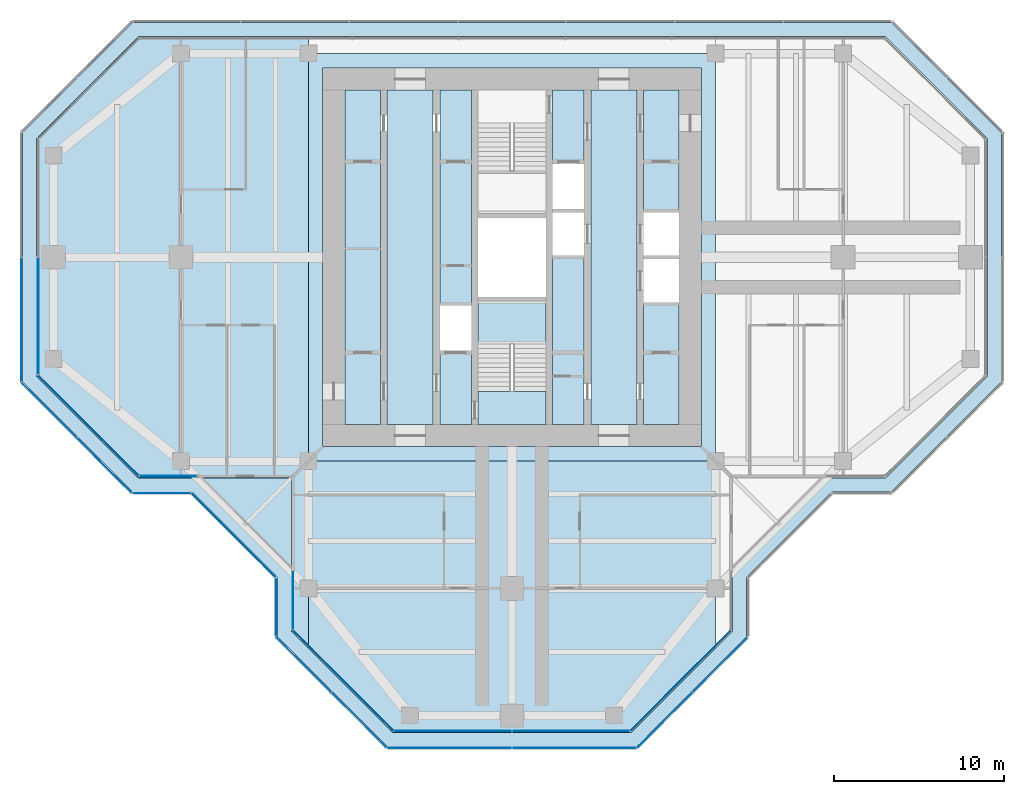
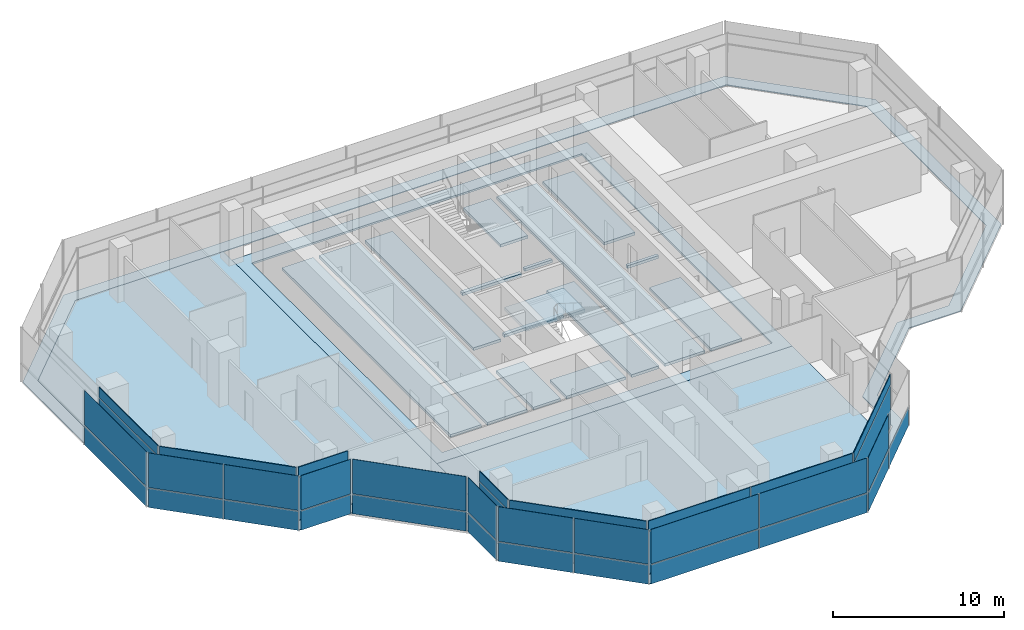
# One storey, part 9 of 16: 40 plates, 7 slabs, 16 elements without a shape of their own.
"""IFC4 building model written with IfcOpenShell, lengths in metres."""

import ifcopenshell
import ifcopenshell.guid

model = None  # the IFC model being written
_history = None  # IfcOwnerHistory: only IFC2X3 demands one
_inside = {}  # id of a spatial element -> (the spatial element, [elements in it])
_under = {}  # id of a project, library or spatial element -> (it, [spatial elements below it])
_declared = {}  # id of a project -> (the project, [libraries it declares])
_typed = {}  # id of a type object -> (the type object, [elements of that type])
_made_of = {}  # id of a material, layer set ... -> (it, [elements and type objects made of it])


def new_model(schema):
    """Start an empty IFC model of exactly this schema.

    Asked for "IFC4X3", IfcOpenShell would pick the latest addendum, in which some entities
    have other attributes; the version numbers below select the first issue.
    IFC2X3 requires an IfcOwnerHistory on every rooted entity: one is made here for all.
    """
    global model, _history
    if schema == "IFC4X3":
        model = ifcopenshell.file(schema_version=(4, 3, 0, 0))
    else:
        model = ifcopenshell.file(schema=schema)
    _inside.clear()
    _under.clear()
    _declared.clear()
    _typed.clear()
    _made_of.clear()
    _history = None
    if model.schema == "IFC2X3":
        org = make("IfcOrganization", Name="unknown")
        user = make(
            "IfcPersonAndOrganization",
            ThePerson=make("IfcPerson", FamilyName="unknown"),
            TheOrganization=org,
        )
        app = make(
            "IfcApplication",
            ApplicationDeveloper=org,
            Version="unknown",
            ApplicationFullName="unknown",
            ApplicationIdentifier="unknown",
        )
        _history = make(
            "IfcOwnerHistory",
            OwningUser=user,
            OwningApplication=app,
            ChangeAction="ADDED",
            CreationDate=0,
        )
    return model


def make(cls, **values):
    """One entity of the class cls with the attributes given. An attribute that is None is left unset."""
    return model.create_entity(
        cls, **{name: value for name, value in values.items() if value is not None}
    )


def rooted(cls, **values):
    """An entity with a GlobalId (a new one), such as an element, a storey or a relation."""
    return make(cls, GlobalId=ifcopenshell.guid.new(), OwnerHistory=_history, **values)


def si_unit(unit_type, name, prefix=None):
    """IfcSIUnit, for example si_unit("LENGTHUNIT", "METRE", prefix="MILLI")."""
    return make("IfcSIUnit", UnitType=unit_type, Prefix=prefix, Name=name)


def assignment(units):
    """IfcUnitAssignment: the units of a project."""
    return None if units is None else make("IfcUnitAssignment", Units=units)


def point(xyz):
    """IfcCartesianPoint."""
    return None if xyz is None else make("IfcCartesianPoint", Coordinates=xyz)


def direction(xyz):
    """IfcDirection."""
    return None if xyz is None else make("IfcDirection", DirectionRatios=xyz)


def frame(location, z_axis=None, x_axis=None):
    """IfcAxis2Placement3D, a coordinate frame: its origin and axes. An axis left out is left unset."""
    return make(
        "IfcAxis2Placement3D",
        Location=point(location),
        Axis=direction(z_axis),
        RefDirection=direction(x_axis),
    )


def frame_2d(location, x_axis=None):
    """IfcAxis2Placement2D, a coordinate frame in the plane: its origin and x axis."""
    return make(
        "IfcAxis2Placement2D", Location=point(location), RefDirection=direction(x_axis)
    )


def origin():
    """The frame at (0, 0, 0) with its axes left unset."""
    return frame((0.0, 0.0, 0.0))


def origin_2d():
    """The frame at (0, 0) in the plane with its x axis left unset."""
    return frame_2d((0.0, 0.0))


def place(relative_to, where):
    """IfcLocalPlacement: puts the frame where relative to a parent placement (None: the world)."""
    return make(
        "IfcLocalPlacement", PlacementRelTo=relative_to, RelativePlacement=where
    )


def context(
    kind, dimensions, precision=None, world=None, true_north=None, identifier=None
):
    """IfcGeometricRepresentationContext, for example the 3D "Model" context."""
    return make(
        "IfcGeometricRepresentationContext",
        ContextIdentifier=identifier,
        ContextType=kind,
        CoordinateSpaceDimension=dimensions,
        Precision=precision,
        WorldCoordinateSystem=world,
        TrueNorth=true_north,
    )


def subcontext(parent, identifier, kind, view, scale=None):
    """IfcGeometricRepresentationSubContext, for example "Body" below "Model"."""
    return make(
        "IfcGeometricRepresentationSubContext",
        ContextIdentifier=identifier,
        ContextType=kind,
        ParentContext=parent,
        TargetScale=scale,
        TargetView=view,
    )


def project(units=None, contexts=None):
    """IfcProject with its units and contexts."""
    return rooted(
        "IfcProject",
        Name="project",
        RepresentationContexts=contexts,
        UnitsInContext=assignment(units),
    )


def spatial(cls, under=None, at=None, **own):
    """A site, building, storey or space (cls), placed at a placement, below another one or the project."""
    s = rooted(cls, ObjectPlacement=at, **own)
    if under is not None:
        _under.setdefault(under.id(), (under, []))[1].append(s)
    return s


def polyline(points):
    """IfcPolyline through the points."""
    return make("IfcPolyline", Points=[point(p) for p in points])


def profile(cls, at=None, kind="AREA", **sizes):
    """A parametric profile (cls). Its sizes go by their IFC names, for example OverallWidth=200.0."""
    return make(cls, ProfileType=kind, Position=at, **sizes)


def rectangle(**sizes):
    """IfcRectangleProfileDef."""
    return profile("IfcRectangleProfileDef", **sizes)


def outline(outer, holes=None, kind="AREA"):
    """IfcArbitraryClosedProfileDef: a profile drawn as a closed curve; with holes, ...WithVoids."""
    if holes is None:
        return make("IfcArbitraryClosedProfileDef", ProfileType=kind, OuterCurve=outer)
    return make(
        "IfcArbitraryProfileDefWithVoids",
        ProfileType=kind,
        OuterCurve=outer,
        InnerCurves=holes,
    )


def extrude(swept, where, along, depth):
    """IfcExtrudedAreaSolid: the profile swept, set in the frame where, extruded along a direction by depth."""
    return make(
        "IfcExtrudedAreaSolid",
        SweptArea=swept,
        Position=where,
        ExtrudedDirection=direction(along),
        Depth=depth,
    )


def shape(context_of_items, identifier, shape_type, items):
    """IfcShapeRepresentation: the items that make up one representation, for example the "Body"."""
    return make(
        "IfcShapeRepresentation",
        ContextOfItems=context_of_items,
        RepresentationIdentifier=identifier,
        RepresentationType=shape_type,
        Items=items,
    )


def material(Name=None, Category=None):
    """IfcMaterial."""
    return make("IfcMaterial", Name=Name, Category=Category)


def layer(
    of_material, thickness, ventilated=None, Name=None, Category=None, Priority=None
):
    """IfcMaterialLayer: one layer of a wall or slab, of a material (None: an air gap)."""
    return make(
        "IfcMaterialLayer",
        Material=of_material,
        LayerThickness=thickness,
        IsVentilated=ventilated,
        Name=Name,
        Category=Category,
        Priority=Priority,
    )


def layer_set(layers, Name=None):
    """IfcMaterialLayerSet."""
    return make("IfcMaterialLayerSet", MaterialLayers=layers, LayerSetName=Name)


def made_of(thing, what):
    """Note that an element or type object is made of a material, layer set ...; save() writes the relation."""
    if what is not None:
        _made_of.setdefault(what.id(), (what, []))[1].append(thing)
    return thing


def type_object(cls, material=None, **own):
    """A type object (cls), such as IfcWallType, which elements share."""
    return made_of(rooted(cls, **own), material)


def element(
    cls,
    number,
    at=None,
    inside=None,
    cuts=None,
    type_object=None,
    material=None,
    context=None,
    identifier="Body",
    shape_type=None,
    held_by="IfcProductDefinitionShape",
    body=None,
    shapes=None,
    **own,
):
    """One element of the class cls, such as IfcWall. Its Tag is "e" and its number.

    at: its placement. inside: the storey or other place that contains it. cuts: it is an
    opening in that element (IfcRelVoidsElement). A single representation is given by context,
    identifier, shape_type and body (its items); several are given by shapes. held_by: the class
    of the entity that holds the representations. save() writes the other relations.
    """
    e = rooted(cls, Tag="e%d" % number, ObjectPlacement=at, **own)
    if body is not None:
        shapes = [shape(context, identifier, shape_type, body)]
    if shapes is not None:
        e.Representation = make(held_by, Representations=shapes)
    if inside is not None:
        _inside.setdefault(inside.id(), (inside, []))[1].append(e)
    if cuts is not None:
        rooted(
            "IfcRelVoidsElement", RelatingBuildingElement=cuts, RelatedOpeningElement=e
        )
    if type_object is not None:
        _typed.setdefault(type_object.id(), (type_object, []))[1].append(e)
    return made_of(e, material)


def aggregate(whole, parts):
    """IfcRelAggregates: a whole, such as a stair, and the parts it consists of."""
    return rooted("IfcRelAggregates", RelatingObject=whole, RelatedObjects=parts)


def save(model, path):
    """Write the relations noted so far, then the file.

    IfcRelAggregates (storeys below a building ...), IfcRelContainedInSpatialStructure (elements
    in a storey), IfcRelDefinesByType, IfcRelAssociatesMaterial and IfcRelDeclares: one each for
    every whole, place, type object, material and project.
    """
    for whole, parts in _under.values():
        aggregate(whole, parts)
    for where, things in _inside.values():
        rooted(
            "IfcRelContainedInSpatialStructure",
            RelatedElements=things,
            RelatingStructure=where,
        )
    for kind, things in _typed.values():
        rooted("IfcRelDefinesByType", RelatedObjects=things, RelatingType=kind)
    for what, things in _made_of.values():
        rooted("IfcRelAssociatesMaterial", RelatedObjects=things, RelatingMaterial=what)
    for by, libraries in _declared.values():
        rooted("IfcRelDeclares", RelatingContext=by, RelatedDefinitions=libraries)
    model.write(path)


model = new_model("IFC4")

# Units and contexts
model_context = context("Model", 3, precision=1e-05, world=origin(), true_north=direction((0.0, 1.0)))
body_context = subcontext(model_context, "Body", "Model", "MODEL_VIEW")
ifc_project = project(units=[si_unit("LENGTHUNIT", "METRE"), si_unit("AREAUNIT", "SQUARE_METRE"), si_unit("VOLUMEUNIT", "CUBIC_METRE"), si_unit("PLANEANGLEUNIT", "RADIAN"), si_unit("MASSUNIT", "GRAM", prefix="KILO")], contexts=[model_context])

# Site, building, storey
site_placement = place(None, origin())
site = spatial("IfcSite", under=ifc_project, at=site_placement, CompositionType="ELEMENT")
building_placement = place(site_placement, origin())
building = spatial("IfcBuilding", under=site, at=building_placement, Name="Mizan Broadcast Tower", CompositionType="ELEMENT")
storey_placement = place(building_placement, frame((0.0, 0.0, 290.699951171875)))
storey = spatial("IfcBuildingStorey", under=building, at=storey_placement, Name="L69", CompositionType="ELEMENT", Elevation=290.699951171875)

# Plate
ifc_material_1 = material(Name="Aluminium grating", Category="aluminium")
ifc_layer_1 = layer(ifc_material_1, 0.050048828125)
ifc_layer_set_1 = layer_set([ifc_layer_1], Name="Aluminium grating")
plate_type_1 = type_object("IfcPlateType", Name="CAVITY GRATING", PredefinedType="USERDEFINED", material=ifc_layer_set_1)
plate_1_placement = place(storey_placement, frame((0.0, 0.0, -0.050048828125)))
element("IfcPlate", 1, at=plate_1_placement, inside=storey, type_object=plate_type_1, Name="Cavity grating L69", ObjectType="GRATING", PredefinedType="USERDEFINED", context=body_context, shape_type="SweptSolid", body=[
    extrude(outline(polyline([(-22.339599609375, 13.820068359375), (-28.820068359375, 7.339599609375), (-28.820068359375, -7.339599609375), (-22.339599609375, -13.820068359375), (-18.839599609375, -13.820068359375), (-13.820068359375, -18.839599609375), (-13.820068359375, -22.339599609375), (-7.339599609375, -28.820068359375), (7.339599609375, -28.820068359375), (13.820068359375, -22.339599609375), (13.820068359375, -18.839599609375), (18.839599609375, -13.820068359375), (22.339599609375, -13.820068359375), (28.820068359375, -7.339599609375), (28.820068359375, 7.339599609375), (22.339599609375, 13.820068359375), (-22.339599609375, 13.820068359375)]), holes=[polyline([(-18.5, -13.0), (-22.0, -13.0), (-28.0, -7.0), (-28.0, 7.0), (-22.0, 13.0), (22.0, 13.0), (28.0, 7.0), (28.0, -7.0), (22.0, -13.0), (18.5, -13.0), (13.0, -18.5), (13.0, -22.0), (7.0, -28.0), (-7.0, -28.0), (-13.0, -22.0), (-13.0, -18.5), (-18.5, -13.0)])]), origin(), (0.0, 0.0, 1.0), 0.050048828125),
])

# Slabs
ifc_material_2 = material(Name="Concrete C32/40", Category="concrete")
ifc_layer_2 = layer(ifc_material_2, 0.1298828125)
ifc_layer_set_2 = layer_set([ifc_layer_2], Name="Concrete C32/40")
slab_type_1 = type_object("IfcSlabType", Name="COMPOSITE DECK SLAB 130", PredefinedType="FLOOR", material=ifc_layer_set_2)
slab_1_placement = place(storey_placement, frame((0.0, 0.0, -0.1298828125)))
element("IfcSlab", 2, at=slab_1_placement, inside=storey, type_object=slab_type_1, Name="Floor slab L69 centre", PredefinedType="FLOOR", context=body_context, shape_type="SweptSolid", body=[
    extrude(outline(polyline([(-12.0, -12.0), (12.0, -12.0), (12.0, 12.0), (-12.0, 12.0), (-12.0, -12.0)]), holes=[polyline([(-11.14990234375, 11.14990234375), (11.14990234375, 11.14990234375), (11.14990234375, -11.14990234375), (-11.14990234375, -11.14990234375), (-11.14990234375, 11.14990234375)])]), origin(), (0.0, 0.0, 1.0), 0.1298828125),
])
slab_2_placement = place(storey_placement, frame((0.0, 0.0, -0.1298828125)))
element("IfcSlab", 3, at=slab_2_placement, inside=storey, type_object=slab_type_1, Name="Floor slab L69 west arm", PredefinedType="FLOOR", context=body_context, shape_type="SweptSolid", body=[
    extrude(outline(polyline([(-13.0, -22.0), (-12.0, -23.0), (-12.0, 13.0), (-13.0, 13.0), (-22.0, 13.0), (-28.0, 7.0), (-28.0, -7.0), (-22.0, -13.0), (-13.0, -13.0), (-13.0, -22.0)])), origin(), (0.0, 0.0, 1.0), 0.1298828125),
])
slab_3_placement = place(storey_placement, frame((0.0, 0.0, -0.1298828125)))
element("IfcSlab", 4, at=slab_3_placement, inside=storey, type_object=slab_type_1, Name="Floor slab L69 south arm", PredefinedType="FLOOR", context=body_context, shape_type="SweptSolid", body=[
    extrude(outline(polyline([(7.0, -28.0), (12.0, -23.0), (12.0, -12.0), (-12.0, -12.0), (-12.0, -23.0), (-7.0, -28.0), (7.0, -28.0)])), origin(), (0.0, 0.0, 1.0), 0.1298828125),
])
ifc_material_3 = material(Name="Concrete C40/50", Category="concrete")
ifc_layer_3 = layer(ifc_material_3, 0.199951171875)
ifc_layer_set_3 = layer_set([ifc_layer_3], Name="Concrete C40/50")
slab_type_2 = type_object("IfcSlabType", Name="CORE FLOOR 200", PredefinedType="FLOOR", material=ifc_layer_set_3)
slab_4_placement = place(storey_placement, frame((0.0, 0.0, -0.199951171875)))
element("IfcSlab", 5, at=slab_4_placement, inside=storey, type_object=slab_type_2, Name="Core floor L69", PredefinedType="FLOOR", context=body_context, shape_type="SweptSolid", body=[
    extrude(outline(polyline([(-9.85009765625, -9.85009765625), (-7.75, -9.85009765625), (-7.75, 9.85009765625), (-9.85009765625, 9.85009765625), (-9.85009765625, -9.85009765625)])), origin(), (0.0, 0.0, 1.0), 0.199951171875),
    extrude(outline(polyline([(-4.64990234375, 9.85009765625), (-7.35009765625, 9.85009765625), (-7.35009765625, -9.85009765625), (-4.64990234375, -9.85009765625), (-4.64990234375, 9.85009765625)])), origin(), (0.0, 0.0, 1.0), 0.199951171875),
    extrude(outline(polyline([(-4.25, -5.5), (-4.25, -9.85009765625), (-2.39990234375, -9.85009765625), (-2.39990234375, -5.5), (-4.25, -5.5)])), origin(), (0.0, 0.0, 1.0), 0.199951171875),
    extrude(outline(polyline([(-4.25, -2.85009765625), (-2.39990234375, -2.85009765625), (-2.39990234375, 9.85009765625), (-4.25, 9.85009765625), (-4.25, -2.85009765625)])), origin(), (0.0, 0.0, 1.0), 0.199951171875),
    extrude(outline(polyline([(2.0, -2.324951171875), (-2.0, -2.324951171875), (-2.0, -2.574951171875), (2.0, -2.574951171875), (2.0, -2.324951171875)])), origin(), (0.0, 0.0, 1.0), 0.199951171875),
    extrude(outline(polyline([(2.0, 2.574951171875), (-2.0, 2.574951171875), (-2.0, 2.324951171875), (2.0, 2.324951171875), (2.0, 2.574951171875)])), origin(), (0.0, 0.0, 1.0), 0.199951171875),
    extrude(outline(polyline([(4.25, -9.85009765625), (4.25, 0.10009765625), (2.39990234375, 0.10009765625), (2.39990234375, -9.85009765625), (4.25, -9.85009765625)])), origin(), (0.0, 0.0, 1.0), 0.199951171875),
    extrude(outline(polyline([(4.25, 2.64990234375), (4.25, 2.85009765625), (2.39990234375, 2.85009765625), (2.39990234375, 2.64990234375), (4.25, 2.64990234375)])), origin(), (0.0, 0.0, 1.0), 0.199951171875),
    extrude(outline(polyline([(4.25, 5.5), (4.25, 9.85009765625), (2.39990234375, 9.85009765625), (2.39990234375, 5.5), (4.25, 5.5)])), origin(), (0.0, 0.0, 1.0), 0.199951171875),
    extrude(outline(polyline([(4.64990234375, 9.85009765625), (4.64990234375, -9.85009765625), (7.35009765625, -9.85009765625), (7.35009765625, 9.85009765625), (4.64990234375, 9.85009765625)])), origin(), (0.0, 0.0, 1.0), 0.199951171875),
    extrude(outline(polyline([(9.85009765625, -9.85009765625), (9.85009765625, -2.64990234375), (7.75, -2.64990234375), (7.75, -9.85009765625), (9.85009765625, -9.85009765625)])), origin(), (0.0, 0.0, 1.0), 0.199951171875),
    extrude(outline(polyline([(9.85009765625, -0.10009765625), (9.85009765625, 0.10009765625), (7.75, 0.10009765625), (7.75, -0.10009765625), (9.85009765625, -0.10009765625)])), origin(), (0.0, 0.0, 1.0), 0.199951171875),
    extrude(outline(polyline([(7.75, 9.85009765625), (7.75, 2.64990234375), (9.85009765625, 2.64990234375), (9.85009765625, 9.85009765625), (7.75, 9.85009765625)])), origin(), (0.0, 0.0, 1.0), 0.199951171875),
])

# Curtain wall, plate
ifc_material_4 = material(Name="Aluminium framed glazing", Category="aluminium")
curtain_wall_type_1 = type_object("IfcCurtainWallType", Name="INNER SKIN TOP ZONE", PredefinedType="USERDEFINED", material=ifc_material_4)
curtain_wall_1_placement = place(storey_placement, origin())
curtain_wall_1 = element("IfcCurtainWall", 6, at=curtain_wall_1_placement, inside=storey, type_object=curtain_wall_type_1, Name="Inner skin top zone L69 W end", ObjectType="INNER SKIN TOP ZONE", PredefinedType="USERDEFINED")
ifc_material_5 = material(Name="Double glazing, clear low-e", Category="glass")
ifc_layer_4 = layer(ifc_material_5, 0.028076171875)
ifc_layer_set_4 = layer_set([ifc_layer_4], Name="Double glazing, clear low-e")
plate_type_2 = type_object("IfcPlateType", Name="INNER SKIN GLAZING UNIT", PredefinedType="CURTAIN_PANEL", material=ifc_layer_set_4)
plate_2_placement = place(storey_placement, frame((-27.89990234375, -3.46435546875, 0.0), z_axis=(0.0, 0.0, 1.0), x_axis=(0.0, -1.0, 0.0)))
plate_2 = element("IfcPlate", 7, at=plate_2_placement, type_object=plate_type_2, Name="Inner skin top zone L69 W end panel 2.1", PredefinedType="CURTAIN_PANEL", context=body_context, shape_type="SweptSolid", body=[
    extrude(rectangle(XDim=6.86865234375, YDim=0.028076171875, at=origin_2d()), origin(), (0.0, 0.0, 1.0), 3.0),
])

curtain_wall_2_placement = place(storey_placement, origin())
curtain_wall_2 = element("IfcCurtainWall", 8, at=curtain_wall_2_placement, inside=storey, type_object=curtain_wall_type_1, Name="Inner skin top zone L69 W chamfer", ObjectType="INNER SKIN TOP ZONE", PredefinedType="USERDEFINED")
plate_3_placement = place(storey_placement, frame((-24.92919921875, -9.92919921875, 0.0), z_axis=(0.0, 0.0, 1.0), x_axis=(0.707106781187, -0.707106781187, 0.0)))
plate_3 = element("IfcPlate", 9, at=plate_3_placement, type_object=plate_type_2, Name="Inner skin top zone L69 W chamfer panel 1.1", PredefinedType="CURTAIN_PANEL", context=body_context, shape_type="SweptSolid", body=[
    extrude(rectangle(XDim=8.282470703125, YDim=0.028076171875, at=origin_2d()), origin(), (0.0, 0.0, 1.0), 3.0),
])

curtain_wall_3_placement = place(storey_placement, origin())
curtain_wall_3 = element("IfcCurtainWall", 10, at=curtain_wall_3_placement, inside=storey, type_object=curtain_wall_type_1, Name="Inner skin top zone L69 W side", ObjectType="INNER SKIN TOP ZONE", PredefinedType="USERDEFINED")
plate_4_placement = place(storey_placement, frame((-20.229248046875, -12.89990234375, 0.0), z_axis=(0.0, 0.0, 1.0), x_axis=(1.0, 0.0, 0.0)))
plate_4 = element("IfcPlate", 11, at=plate_4_placement, type_object=plate_type_2, Name="Inner skin top zone L69 W side panel 1.1", PredefinedType="CURTAIN_PANEL", context=body_context, shape_type="SweptSolid", body=[
    extrude(rectangle(XDim=3.338623046875, YDim=0.028076171875, at=origin_2d()), origin(), (0.0, 0.0, 1.0), 3.0),
])

curtain_wall_4_placement = place(storey_placement, origin())
curtain_wall_4 = element("IfcCurtainWall", 12, at=curtain_wall_4_placement, inside=storey, type_object=curtain_wall_type_1, Name="Inner skin top zone L69 S side", ObjectType="INNER SKIN TOP ZONE", PredefinedType="USERDEFINED")
plate_5_placement = place(storey_placement, frame((-12.89990234375, -20.229248046875, 0.0), z_axis=(0.0, 0.0, 1.0), x_axis=(0.0, -1.0, 0.0)))
plate_5 = element("IfcPlate", 13, at=plate_5_placement, type_object=plate_type_2, Name="Inner skin top zone L69 S side panel 1.1", PredefinedType="CURTAIN_PANEL", context=body_context, shape_type="SweptSolid", body=[
    extrude(rectangle(XDim=3.338623046875, YDim=0.028076171875, at=origin_2d()), origin(), (0.0, 0.0, 1.0), 3.0),
])

curtain_wall_5_placement = place(storey_placement, origin())
curtain_wall_5 = element("IfcCurtainWall", 14, at=curtain_wall_5_placement, inside=storey, type_object=curtain_wall_type_1, Name="Inner skin top zone L69 S chamfer", ObjectType="INNER SKIN TOP ZONE", PredefinedType="USERDEFINED")
plate_6_placement = place(storey_placement, frame((-9.92919921875, -24.92919921875, 0.0), z_axis=(0.0, 0.0, 1.0), x_axis=(0.707106781187, -0.707106781187, 0.0)))
plate_6 = element("IfcPlate", 15, at=plate_6_placement, type_object=plate_type_2, Name="Inner skin top zone L69 S chamfer panel 1.1", PredefinedType="CURTAIN_PANEL", context=body_context, shape_type="SweptSolid", body=[
    extrude(rectangle(XDim=8.282470703125, YDim=0.028076171875, at=origin_2d()), origin(), (0.0, 0.0, 1.0), 3.0),
])

# Curtain wall, plates
curtain_wall_6_placement = place(storey_placement, origin())
curtain_wall_6 = element("IfcCurtainWall", 16, at=curtain_wall_6_placement, inside=storey, type_object=curtain_wall_type_1, Name="Inner skin top zone L69 S end", ObjectType="INNER SKIN TOP ZONE", PredefinedType="USERDEFINED")
plate_7_placement = place(storey_placement, frame((-3.46435546875, -27.89990234375, 0.0), z_axis=(0.0, 0.0, 1.0), x_axis=(1.0, 0.0, 0.0)))
plate_7 = element("IfcPlate", 17, at=plate_7_placement, type_object=plate_type_2, Name="Inner skin top zone L69 S end panel 1.1", PredefinedType="CURTAIN_PANEL", context=body_context, shape_type="SweptSolid", body=[
    extrude(rectangle(XDim=6.86865234375, YDim=0.028076171875, at=origin_2d()), origin(), (0.0, 0.0, 1.0), 3.0),
])
plate_8_placement = place(storey_placement, frame((3.46435546875, -27.89990234375, 0.0), z_axis=(0.0, 0.0, 1.0), x_axis=(1.0, 0.0, 0.0)))
plate_8 = element("IfcPlate", 18, at=plate_8_placement, type_object=plate_type_2, Name="Inner skin top zone L69 S end panel 2.1", PredefinedType="CURTAIN_PANEL", context=body_context, shape_type="SweptSolid", body=[
    extrude(rectangle(XDim=6.86865234375, YDim=0.028076171875, at=origin_2d()), origin(), (0.0, 0.0, 1.0), 3.0),
])

# Curtain wall, plate
curtain_wall_7_placement = place(storey_placement, origin())
curtain_wall_7 = element("IfcCurtainWall", 19, at=curtain_wall_7_placement, inside=storey, type_object=curtain_wall_type_1, Name="Inner skin top zone L69 S chamfer", ObjectType="INNER SKIN TOP ZONE", PredefinedType="USERDEFINED")
plate_9_placement = place(storey_placement, frame((9.92919921875, -24.92919921875, 0.0), z_axis=(0.0, 0.0, 1.0), x_axis=(0.707106781187, 0.707106781187, 0.0)))
plate_9 = element("IfcPlate", 20, at=plate_9_placement, type_object=plate_type_2, Name="Inner skin top zone L69 S chamfer panel 1.1", PredefinedType="CURTAIN_PANEL", context=body_context, shape_type="SweptSolid", body=[
    extrude(rectangle(XDim=8.282470703125, YDim=0.028076171875, at=origin_2d()), origin(), (0.0, 0.0, 1.0), 3.0),
])

# Plate
ifc_material_6 = material(Name="Insulated aluminium spandrel panel, pale anodised", Category="aluminium")
ifc_layer_5 = layer(ifc_material_6, 0.050048828125)
ifc_layer_set_5 = layer_set([ifc_layer_5], Name="Insulated aluminium spandrel panel, pale anodised")
plate_type_3 = type_object("IfcPlateType", Name="INNER SKIN SPANDREL PANEL", PredefinedType="CURTAIN_PANEL", material=ifc_layer_set_5)
plate_10_placement = place(storey_placement, frame((-27.89990234375, -3.46435546875, 3.06005859375), z_axis=(0.0, 0.0, 1.0), x_axis=(0.0, -1.0, 0.0)))
plate_10 = element("IfcPlate", 21, at=plate_10_placement, type_object=plate_type_3, Name="Inner skin top zone L69 W end panel 2.2", PredefinedType="CURTAIN_PANEL", context=body_context, shape_type="SweptSolid", body=[
    extrude(rectangle(XDim=6.86865234375, YDim=0.050048828125, at=origin_2d()), origin(), (0.0, 0.0, 1.0), 0.7099609375),
])

aggregate(curtain_wall_1, [plate_2, plate_10])

plate_11_placement = place(storey_placement, frame((-24.92919921875, -9.92919921875, 3.06005859375), z_axis=(0.0, 0.0, 1.0), x_axis=(0.707106781187, -0.707106781187, 0.0)))
plate_11 = element("IfcPlate", 22, at=plate_11_placement, type_object=plate_type_3, Name="Inner skin top zone L69 W chamfer panel 1.2", PredefinedType="CURTAIN_PANEL", context=body_context, shape_type="SweptSolid", body=[
    extrude(rectangle(XDim=8.282470703125, YDim=0.050048828125, at=origin_2d()), origin(), (0.0, 0.0, 1.0), 0.7099609375),
])

aggregate(curtain_wall_2, [plate_3, plate_11])

plate_12_placement = place(storey_placement, frame((-20.229248046875, -12.89990234375, 3.06005859375), z_axis=(0.0, 0.0, 1.0), x_axis=(1.0, 0.0, 0.0)))
plate_12 = element("IfcPlate", 23, at=plate_12_placement, type_object=plate_type_3, Name="Inner skin top zone L69 W side panel 1.2", PredefinedType="CURTAIN_PANEL", context=body_context, shape_type="SweptSolid", body=[
    extrude(rectangle(XDim=3.338623046875, YDim=0.050048828125, at=origin_2d()), origin(), (0.0, 0.0, 1.0), 0.7099609375),
])

aggregate(curtain_wall_3, [plate_4, plate_12])

plate_13_placement = place(storey_placement, frame((-12.89990234375, -20.229248046875, 3.06005859375), z_axis=(0.0, 0.0, 1.0), x_axis=(0.0, -1.0, 0.0)))
plate_13 = element("IfcPlate", 24, at=plate_13_placement, type_object=plate_type_3, Name="Inner skin top zone L69 S side panel 1.2", PredefinedType="CURTAIN_PANEL", context=body_context, shape_type="SweptSolid", body=[
    extrude(rectangle(XDim=3.338623046875, YDim=0.050048828125, at=origin_2d()), origin(), (0.0, 0.0, 1.0), 0.7099609375),
])

aggregate(curtain_wall_4, [plate_5, plate_13])

plate_14_placement = place(storey_placement, frame((-9.92919921875, -24.92919921875, 3.06005859375), z_axis=(0.0, 0.0, 1.0), x_axis=(0.707106781187, -0.707106781187, 0.0)))
plate_14 = element("IfcPlate", 25, at=plate_14_placement, type_object=plate_type_3, Name="Inner skin top zone L69 S chamfer panel 1.2", PredefinedType="CURTAIN_PANEL", context=body_context, shape_type="SweptSolid", body=[
    extrude(rectangle(XDim=8.282470703125, YDim=0.050048828125, at=origin_2d()), origin(), (0.0, 0.0, 1.0), 0.7099609375),
])

aggregate(curtain_wall_5, [plate_6, plate_14])

plate_15_placement = place(storey_placement, frame((-3.46435546875, -27.89990234375, 3.06005859375), z_axis=(0.0, 0.0, 1.0), x_axis=(1.0, 0.0, 0.0)))
plate_15 = element("IfcPlate", 26, at=plate_15_placement, type_object=plate_type_3, Name="Inner skin top zone L69 S end panel 1.2", PredefinedType="CURTAIN_PANEL", context=body_context, shape_type="SweptSolid", body=[
    extrude(rectangle(XDim=6.86865234375, YDim=0.050048828125, at=origin_2d()), origin(), (0.0, 0.0, 1.0), 0.7099609375),
])

plate_16_placement = place(storey_placement, frame((3.46435546875, -27.89990234375, 3.06005859375), z_axis=(0.0, 0.0, 1.0), x_axis=(1.0, 0.0, 0.0)))
plate_16 = element("IfcPlate", 27, at=plate_16_placement, type_object=plate_type_3, Name="Inner skin top zone L69 S end panel 2.2", PredefinedType="CURTAIN_PANEL", context=body_context, shape_type="SweptSolid", body=[
    extrude(rectangle(XDim=6.86865234375, YDim=0.050048828125, at=origin_2d()), origin(), (0.0, 0.0, 1.0), 0.7099609375),
])

aggregate(curtain_wall_6, [plate_7, plate_15, plate_8, plate_16])

plate_17_placement = place(storey_placement, frame((9.92919921875, -24.92919921875, 3.06005859375), z_axis=(0.0, 0.0, 1.0), x_axis=(0.707106781187, 0.707106781187, 0.0)))
plate_17 = element("IfcPlate", 28, at=plate_17_placement, type_object=plate_type_3, Name="Inner skin top zone L69 S chamfer panel 1.2", PredefinedType="CURTAIN_PANEL", context=body_context, shape_type="SweptSolid", body=[
    extrude(rectangle(XDim=8.282470703125, YDim=0.050048828125, at=origin_2d()), origin(), (0.0, 0.0, 1.0), 0.7099609375),
])

aggregate(curtain_wall_7, [plate_9, plate_17])

# Curtain wall, plates
ifc_material_7 = material(Name="Aluminium framed glazing", Category="aluminium")
curtain_wall_type_2 = type_object("IfcCurtainWallType", Name="OUTER SKIN", PredefinedType="USERDEFINED", material=ifc_material_7)
curtain_wall_8_placement = place(storey_placement, origin())
curtain_wall_8 = element("IfcCurtainWall", 29, at=curtain_wall_8_placement, inside=storey, type_object=curtain_wall_type_2, Name="Outer skin L69 W chamfer", ObjectType="OUTER SKIN", PredefinedType="USERDEFINED")
ifc_material_8 = material(Name="Laminated clear glass", Category="glass")
ifc_layer_6 = layer(ifc_material_8, 0.02001953125)
ifc_layer_set_6 = layer_set([ifc_layer_6], Name="Laminated clear glass")
plate_type_4 = type_object("IfcPlateType", Name="OUTER SKIN CLEAR GLASS", PredefinedType="CURTAIN_PANEL", material=ifc_layer_set_6)
plate_18_placement = place(storey_placement, frame((-27.254150390625, -9.018798828125, 0.0), z_axis=(0.0, 0.0, 1.0), x_axis=(0.707106781187, -0.707106781187, 0.0)))
plate_18 = element("IfcPlate", 30, at=plate_18_placement, type_object=plate_type_4, Name="Outer skin L69 W chamfer panel 1.1", PredefinedType="CURTAIN_PANEL", context=body_context, shape_type="SweptSolid", body=[
    extrude(rectangle(XDim=4.495361328125, YDim=0.02001953125, at=origin_2d()), origin(), (0.0, 0.0, 1.0), 1.3701171875),
])
plate_19_placement = place(storey_placement, frame((-27.254150390625, -9.018798828125, 1.43017578125), z_axis=(0.0, 0.0, 1.0), x_axis=(0.707106781187, -0.707106781187, 0.0)))
plate_19 = element("IfcPlate", 31, at=plate_19_placement, type_object=plate_type_4, Name="Outer skin L69 W chamfer panel 1.2", PredefinedType="CURTAIN_PANEL", context=body_context, shape_type="SweptSolid", body=[
    extrude(rectangle(XDim=4.495361328125, YDim=0.02001953125, at=origin_2d()), origin(), (0.0, 0.0, 1.0), 2.469970703125),
])

curtain_wall_9_placement = place(storey_placement, origin())
curtain_wall_9 = element("IfcCurtainWall", 32, at=curtain_wall_9_placement, inside=storey, type_object=curtain_wall_type_2, Name="Outer skin L69 W side", ObjectType="OUTER SKIN", PredefinedType="USERDEFINED")
plate_20_placement = place(storey_placement, frame((-20.622802734375, -13.89990234375, 0.0), z_axis=(0.0, 0.0, 1.0), x_axis=(1.0, 0.0, 0.0)))
plate_20 = element("IfcPlate", 33, at=plate_20_placement, type_object=plate_type_4, Name="Outer skin L69 W side panel 1.1", PredefinedType="CURTAIN_PANEL", context=body_context, shape_type="SweptSolid", body=[
    extrude(rectangle(XDim=3.340087890625, YDim=0.02001953125, at=origin_2d()), origin(), (0.0, 0.0, 1.0), 1.3701171875),
])
plate_21_placement = place(storey_placement, frame((-20.622802734375, -13.89990234375, 1.43017578125), z_axis=(0.0, 0.0, 1.0), x_axis=(1.0, 0.0, 0.0)))
plate_21 = element("IfcPlate", 34, at=plate_21_placement, type_object=plate_type_4, Name="Outer skin L69 W side panel 1.2", PredefinedType="CURTAIN_PANEL", context=body_context, shape_type="SweptSolid", body=[
    extrude(rectangle(XDim=3.340087890625, YDim=0.02001953125, at=origin_2d()), origin(), (0.0, 0.0, 1.0), 2.469970703125),
])
aggregate(curtain_wall_9, [plate_20, plate_21])

curtain_wall_10_placement = place(storey_placement, origin())
curtain_wall_10 = element("IfcCurtainWall", 35, at=curtain_wall_10_placement, inside=storey, type_object=curtain_wall_type_2, Name="Outer skin L69 W chamfer", ObjectType="OUTER SKIN", PredefinedType="USERDEFINED")
plate_22_placement = place(storey_placement, frame((-16.386474609375, -16.386474609375, 0.0), z_axis=(0.0, 0.0, 1.0), x_axis=(0.707106781187, -0.707106781187, 0.0)))
plate_22 = element("IfcPlate", 36, at=plate_22_placement, type_object=plate_type_4, Name="Outer skin L69 W chamfer panel 1.1", PredefinedType="CURTAIN_PANEL", context=body_context, shape_type="SweptSolid", body=[
    extrude(rectangle(XDim=6.87255859375, YDim=0.02001953125, at=origin_2d()), origin(), (0.0, 0.0, 1.0), 1.3701171875),
])
plate_23_placement = place(storey_placement, frame((-16.386474609375, -16.386474609375, 1.43017578125), z_axis=(0.0, 0.0, 1.0), x_axis=(0.707106781187, -0.707106781187, 0.0)))
plate_23 = element("IfcPlate", 37, at=plate_23_placement, type_object=plate_type_4, Name="Outer skin L69 W chamfer panel 1.2", PredefinedType="CURTAIN_PANEL", context=body_context, shape_type="SweptSolid", body=[
    extrude(rectangle(XDim=6.87255859375, YDim=0.02001953125, at=origin_2d()), origin(), (0.0, 0.0, 1.0), 2.469970703125),
])
aggregate(curtain_wall_10, [plate_22, plate_23])

curtain_wall_11_placement = place(storey_placement, origin())
curtain_wall_11 = element("IfcCurtainWall", 38, at=curtain_wall_11_placement, inside=storey, type_object=curtain_wall_type_2, Name="Outer skin L69 S side", ObjectType="OUTER SKIN", PredefinedType="USERDEFINED")
plate_24_placement = place(storey_placement, frame((-13.89990234375, -20.622802734375, 0.0), z_axis=(0.0, 0.0, 1.0), x_axis=(0.0, -1.0, 0.0)))
plate_24 = element("IfcPlate", 39, at=plate_24_placement, type_object=plate_type_4, Name="Outer skin L69 S side panel 1.1", PredefinedType="CURTAIN_PANEL", context=body_context, shape_type="SweptSolid", body=[
    extrude(rectangle(XDim=3.340087890625, YDim=0.02001953125, at=origin_2d()), origin(), (0.0, 0.0, 1.0), 1.3701171875),
])
plate_25_placement = place(storey_placement, frame((-13.89990234375, -20.622802734375, 1.43017578125), z_axis=(0.0, 0.0, 1.0), x_axis=(0.0, -1.0, 0.0)))
plate_25 = element("IfcPlate", 40, at=plate_25_placement, type_object=plate_type_4, Name="Outer skin L69 S side panel 1.2", PredefinedType="CURTAIN_PANEL", context=body_context, shape_type="SweptSolid", body=[
    extrude(rectangle(XDim=3.340087890625, YDim=0.02001953125, at=origin_2d()), origin(), (0.0, 0.0, 1.0), 2.469970703125),
])
aggregate(curtain_wall_11, [plate_24, plate_25])

curtain_wall_12_placement = place(storey_placement, origin())
curtain_wall_12 = element("IfcCurtainWall", 41, at=curtain_wall_12_placement, inside=storey, type_object=curtain_wall_type_2, Name="Outer skin L69 S chamfer", ObjectType="OUTER SKIN", PredefinedType="USERDEFINED")
plate_26_placement = place(storey_placement, frame((-12.254150390625, -24.018798828125, 0.0), z_axis=(0.0, 0.0, 1.0), x_axis=(0.707106781187, -0.707106781187, 0.0)))
plate_26 = element("IfcPlate", 42, at=plate_26_placement, type_object=plate_type_4, Name="Outer skin L69 S chamfer panel 1.1", PredefinedType="CURTAIN_PANEL", context=body_context, shape_type="SweptSolid", body=[
    extrude(rectangle(XDim=4.495361328125, YDim=0.02001953125, at=origin_2d()), origin(), (0.0, 0.0, 1.0), 1.3701171875),
])
plate_27_placement = place(storey_placement, frame((-12.254150390625, -24.018798828125, 1.43017578125), z_axis=(0.0, 0.0, 1.0), x_axis=(0.707106781187, -0.707106781187, 0.0)))
plate_27 = element("IfcPlate", 43, at=plate_27_placement, type_object=plate_type_4, Name="Outer skin L69 S chamfer panel 1.2", PredefinedType="CURTAIN_PANEL", context=body_context, shape_type="SweptSolid", body=[
    extrude(rectangle(XDim=4.495361328125, YDim=0.02001953125, at=origin_2d()), origin(), (0.0, 0.0, 1.0), 2.469970703125),
])

curtain_wall_13_placement = place(storey_placement, origin())
curtain_wall_13 = element("IfcCurtainWall", 44, at=curtain_wall_13_placement, inside=storey, type_object=curtain_wall_type_2, Name="Outer skin L69 S end", ObjectType="OUTER SKIN", PredefinedType="USERDEFINED")
plate_28_placement = place(storey_placement, frame((-3.66650390625, -28.89990234375, 0.0), z_axis=(0.0, 0.0, 1.0), x_axis=(1.0, 0.0, 0.0)))
plate_28 = element("IfcPlate", 45, at=plate_28_placement, type_object=plate_type_4, Name="Outer skin L69 S end panel 1.1", PredefinedType="CURTAIN_PANEL", context=body_context, shape_type="SweptSolid", body=[
    extrude(rectangle(XDim=7.252685546875, YDim=0.02001953125, at=origin_2d()), origin(), (0.0, 0.0, 1.0), 1.3701171875),
])
plate_29_placement = place(storey_placement, frame((-3.66650390625, -28.89990234375, 1.43017578125), z_axis=(0.0, 0.0, 1.0), x_axis=(1.0, 0.0, 0.0)))
plate_29 = element("IfcPlate", 46, at=plate_29_placement, type_object=plate_type_4, Name="Outer skin L69 S end panel 1.2", PredefinedType="CURTAIN_PANEL", context=body_context, shape_type="SweptSolid", body=[
    extrude(rectangle(XDim=7.252685546875, YDim=0.02001953125, at=origin_2d()), origin(), (0.0, 0.0, 1.0), 2.469970703125),
])

curtain_wall_14_placement = place(storey_placement, origin())
curtain_wall_14 = element("IfcCurtainWall", 47, at=curtain_wall_14_placement, inside=storey, type_object=curtain_wall_type_2, Name="Outer skin L69 S chamfer", ObjectType="OUTER SKIN", PredefinedType="USERDEFINED")
plate_30_placement = place(storey_placement, frame((9.018798828125, -27.254150390625, 0.0), z_axis=(0.0, 0.0, 1.0), x_axis=(0.707106781187, 0.707106781187, 0.0)))
plate_30 = element("IfcPlate", 48, at=plate_30_placement, type_object=plate_type_4, Name="Outer skin L69 S chamfer panel 1.1", PredefinedType="CURTAIN_PANEL", context=body_context, shape_type="SweptSolid", body=[
    extrude(rectangle(XDim=4.495361328125, YDim=0.02001953125, at=origin_2d()), origin(), (0.0, 0.0, 1.0), 1.3701171875),
])
plate_31_placement = place(storey_placement, frame((9.018798828125, -27.254150390625, 1.43017578125), z_axis=(0.0, 0.0, 1.0), x_axis=(0.707106781187, 0.707106781187, 0.0)))
plate_31 = element("IfcPlate", 49, at=plate_31_placement, type_object=plate_type_4, Name="Outer skin L69 S chamfer panel 1.2", PredefinedType="CURTAIN_PANEL", context=body_context, shape_type="SweptSolid", body=[
    extrude(rectangle(XDim=4.495361328125, YDim=0.02001953125, at=origin_2d()), origin(), (0.0, 0.0, 1.0), 2.469970703125),
])

# Plate
ifc_material_9 = material(Name="Perforated aluminium, pale anodised", Category="aluminium")
ifc_layer_7 = layer(ifc_material_9, 0.011962890625)
ifc_layer_set_7 = layer_set([ifc_layer_7], Name="Perforated aluminium, pale anodised")
plate_type_5 = type_object("IfcPlateType", Name="OUTER SKIN PERFORATED SCREEN", PredefinedType="USERDEFINED", material=ifc_layer_set_7)
plate_32_placement = place(storey_placement, frame((-24.018798828125, -12.254150390625, 0.0), z_axis=(0.0, 0.0, 1.0), x_axis=(0.707106781187, -0.707106781187, 0.0)))
plate_32 = element("IfcPlate", 50, at=plate_32_placement, type_object=plate_type_5, Name="Outer skin L69 W chamfer panel 2.1", ObjectType="SCREEN", PredefinedType="USERDEFINED", context=body_context, shape_type="SweptSolid", body=[
    extrude(rectangle(XDim=4.495361328125, YDim=0.011962890625, at=origin_2d()), origin(), (0.0, 0.0, 1.0), 1.3701171875),
])

plate_33_placement = place(storey_placement, frame((-24.018798828125, -12.254150390625, 1.43017578125), z_axis=(0.0, 0.0, 1.0), x_axis=(0.707106781187, -0.707106781187, 0.0)))
plate_33 = element("IfcPlate", 51, at=plate_33_placement, type_object=plate_type_5, Name="Outer skin L69 W chamfer panel 2.2", ObjectType="SCREEN", PredefinedType="USERDEFINED", context=body_context, shape_type="SweptSolid", body=[
    extrude(rectangle(XDim=4.495361328125, YDim=0.011962890625, at=origin_2d()), origin(), (0.0, 0.0, 1.0), 2.469970703125),
])

aggregate(curtain_wall_8, [plate_18, plate_19, plate_32, plate_33])

plate_34_placement = place(storey_placement, frame((-9.018798828125, -27.254150390625, 0.0), z_axis=(0.0, 0.0, 1.0), x_axis=(0.707106781187, -0.707106781187, 0.0)))
plate_34 = element("IfcPlate", 52, at=plate_34_placement, type_object=plate_type_5, Name="Outer skin L69 S chamfer panel 2.1", ObjectType="SCREEN", PredefinedType="USERDEFINED", context=body_context, shape_type="SweptSolid", body=[
    extrude(rectangle(XDim=4.495361328125, YDim=0.011962890625, at=origin_2d()), origin(), (0.0, 0.0, 1.0), 1.3701171875),
])

plate_35_placement = place(storey_placement, frame((-9.018798828125, -27.254150390625, 1.43017578125), z_axis=(0.0, 0.0, 1.0), x_axis=(0.707106781187, -0.707106781187, 0.0)))
plate_35 = element("IfcPlate", 53, at=plate_35_placement, type_object=plate_type_5, Name="Outer skin L69 S chamfer panel 2.2", ObjectType="SCREEN", PredefinedType="USERDEFINED", context=body_context, shape_type="SweptSolid", body=[
    extrude(rectangle(XDim=4.495361328125, YDim=0.011962890625, at=origin_2d()), origin(), (0.0, 0.0, 1.0), 2.469970703125),
])

aggregate(curtain_wall_12, [plate_26, plate_27, plate_34, plate_35])

plate_36_placement = place(storey_placement, frame((3.66650390625, -28.89990234375, 0.0), z_axis=(0.0, 0.0, 1.0), x_axis=(1.0, 0.0, 0.0)))
plate_36 = element("IfcPlate", 54, at=plate_36_placement, type_object=plate_type_5, Name="Outer skin L69 S end panel 2.1", ObjectType="SCREEN", PredefinedType="USERDEFINED", context=body_context, shape_type="SweptSolid", body=[
    extrude(rectangle(XDim=7.252685546875, YDim=0.011962890625, at=origin_2d()), origin(), (0.0, 0.0, 1.0), 1.3701171875),
])

plate_37_placement = place(storey_placement, frame((3.66650390625, -28.89990234375, 1.43017578125), z_axis=(0.0, 0.0, 1.0), x_axis=(1.0, 0.0, 0.0)))
plate_37 = element("IfcPlate", 55, at=plate_37_placement, type_object=plate_type_5, Name="Outer skin L69 S end panel 2.2", ObjectType="SCREEN", PredefinedType="USERDEFINED", context=body_context, shape_type="SweptSolid", body=[
    extrude(rectangle(XDim=7.252685546875, YDim=0.011962890625, at=origin_2d()), origin(), (0.0, 0.0, 1.0), 2.469970703125),
])

aggregate(curtain_wall_13, [plate_28, plate_29, plate_36, plate_37])

plate_38_placement = place(storey_placement, frame((12.254150390625, -24.018798828125, 0.0), z_axis=(0.0, 0.0, 1.0), x_axis=(0.707106781187, 0.707106781187, 0.0)))
plate_38 = element("IfcPlate", 56, at=plate_38_placement, type_object=plate_type_5, Name="Outer skin L69 S chamfer panel 2.1", ObjectType="SCREEN", PredefinedType="USERDEFINED", context=body_context, shape_type="SweptSolid", body=[
    extrude(rectangle(XDim=4.495361328125, YDim=0.011962890625, at=origin_2d()), origin(), (0.0, 0.0, 1.0), 1.3701171875),
])

aggregate(curtain_wall_14, [plate_30, plate_31, plate_38])

# Curtain wall, plates
curtain_wall_15_placement = place(storey_placement, origin())
curtain_wall_15 = element("IfcCurtainWall", 57, at=curtain_wall_15_placement, inside=storey, type_object=curtain_wall_type_2, Name="Outer skin L69 W end", ObjectType="OUTER SKIN", PredefinedType="USERDEFINED")
plate_39_placement = place(storey_placement, frame((-28.89990234375, -3.66650390625, 0.0), z_axis=(0.0, 0.0, 1.0), x_axis=(0.0, -1.0, 0.0)))
plate_39 = element("IfcPlate", 58, at=plate_39_placement, type_object=plate_type_5, Name="Outer skin L69 W end panel 2.1", ObjectType="SCREEN", PredefinedType="USERDEFINED", context=body_context, shape_type="SweptSolid", body=[
    extrude(rectangle(XDim=7.252685546875, YDim=0.011962890625, at=origin_2d()), origin(), (0.0, 0.0, 1.0), 1.3701171875),
])
plate_40_placement = place(storey_placement, frame((-28.89990234375, -3.66650390625, 1.43017578125), z_axis=(0.0, 0.0, 1.0), x_axis=(0.0, -1.0, 0.0)))
plate_40 = element("IfcPlate", 59, at=plate_40_placement, type_object=plate_type_5, Name="Outer skin L69 W end panel 2.2", ObjectType="SCREEN", PredefinedType="USERDEFINED", context=body_context, shape_type="SweptSolid", body=[
    extrude(rectangle(XDim=7.252685546875, YDim=0.011962890625, at=origin_2d()), origin(), (0.0, 0.0, 1.0), 2.469970703125),
])
aggregate(curtain_wall_15, [plate_39, plate_40])

# Stair, slabs
ifc_material_10 = material(Name="Concrete C40/50", Category="concrete")
stair_type = type_object("IfcStairType", Name="EXIT STAIR", PredefinedType="HALF_TURN_STAIR", material=ifc_material_10)
stair_placement = place(storey_placement, origin())
stair = element("IfcStair", 60, at=stair_placement, inside=storey, type_object=stair_type, Name="Stair A L69", PredefinedType="HALF_TURN_STAIR")
ifc_material_11 = material(Name="Concrete C40/50", Category="concrete")
ifc_layer_8 = layer(ifc_material_11, 0.199951171875)
ifc_layer_set_8 = layer_set([ifc_layer_8], Name="Concrete C40/50")
slab_type_3 = type_object("IfcSlabType", Name="STAIR LANDING 200", PredefinedType="LANDING", material=ifc_layer_set_8)
slab_5_placement = place(storey_placement, frame((0.0, 0.0, -0.199951171875)))
slab_5 = element("IfcSlab", 61, at=slab_5_placement, type_object=slab_type_3, Name="A landing 1", PredefinedType="LANDING", context=body_context, shape_type="SweptSolid", body=[
    extrude(outline(polyline([(-2.0, -9.85009765625), (-2.0, -7.89990234375), (2.0, -7.89990234375), (2.0, -9.85009765625), (-2.0, -9.85009765625)])), origin(), (0.0, 0.0, 1.0), 0.199951171875),
])
slab_6_placement = place(storey_placement, frame((0.0, 0.0, 1.75)))
slab_6 = element("IfcSlab", 62, at=slab_6_placement, type_object=slab_type_3, Name="A landing 2", PredefinedType="LANDING", context=body_context, shape_type="SweptSolid", body=[
    extrude(outline(polyline([(-2.0, -5.10009765625), (-2.0, -2.574951171875), (2.0, -2.574951171875), (2.0, -5.10009765625), (-2.0, -5.10009765625)])), origin(), (0.0, 0.0, 1.0), 0.199951171875),
])
aggregate(stair, [slab_5, slab_6])

# Slab
ifc_material_12 = material(Name="Concrete C32/40", Category="concrete")
ifc_layer_9 = layer(ifc_material_12, 0.1298828125)
ifc_layer_set_9 = layer_set([ifc_layer_9], Name="Concrete C32/40")
slab_type_4 = type_object("IfcSlabType", Name="WINTER GARDEN SLAB 130", PredefinedType="FLOOR", material=ifc_layer_set_9)
slab_7_placement = place(storey_placement, frame((0.0, 0.0, -0.1298828125)))
element("IfcSlab", 63, at=slab_7_placement, inside=storey, type_object=slab_type_4, Name="Winter garden slab L69 W", PredefinedType="FLOOR", context=body_context, shape_type="SweptSolid", body=[
    extrude(outline(polyline([(-13.0, -13.0), (-18.5, -13.0), (-13.0, -18.5), (-13.0, -13.0)])), origin(), (0.0, 0.0, 1.0), 0.1298828125),
])

save(model, "model.ifc")
